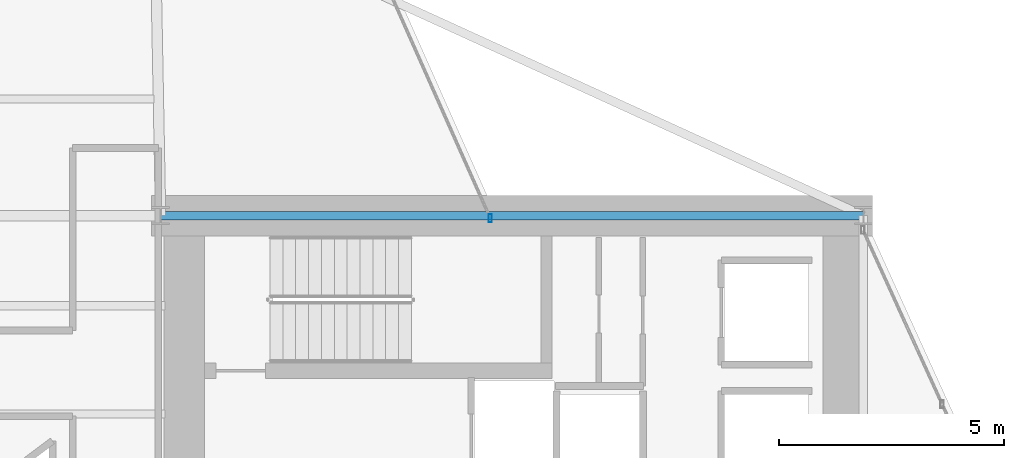
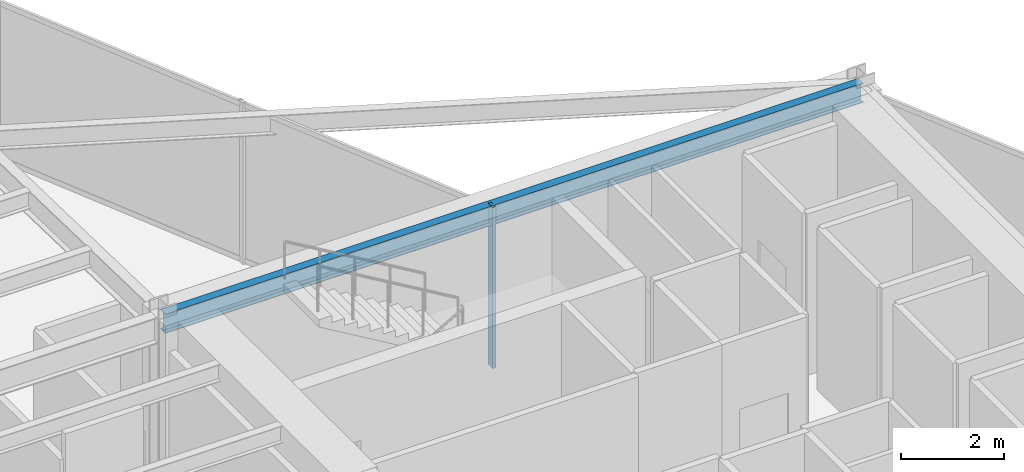
# One storey, part 13 of 23: 1 beam, 1 member, 1 element without a shape of its own.
"""IFC4 building model written with IfcOpenShell, lengths in metres."""

from ifc_helpers import new_model, si_unit, direction, frame, origin, origin_2d, place, context, subcontext, project, spatial, hollow_rectangle, i_section, extrude, material, layer, layer_set, material_profile, profile_set, type_object, element, aggregate, save


model = new_model("IFC4")

# Units and contexts
model_context = context("Model", 3, precision=1e-05, world=origin(), true_north=direction((0.0, 1.0)))
body_context = subcontext(model_context, "Body", "Model", "MODEL_VIEW")
ifc_project = project(units=[si_unit("LENGTHUNIT", "METRE"), si_unit("AREAUNIT", "SQUARE_METRE"), si_unit("VOLUMEUNIT", "CUBIC_METRE"), si_unit("PLANEANGLEUNIT", "RADIAN"), si_unit("MASSUNIT", "GRAM", prefix="KILO")], contexts=[model_context])

# Site, building, storey
site_placement = place(None, origin())
site = spatial("IfcSite", under=ifc_project, at=site_placement, CompositionType="ELEMENT")
building_placement = place(site_placement, origin())
building = spatial("IfcBuilding", under=site, at=building_placement, Name="Veymaron Broadcast Tower", CompositionType="ELEMENT")
storey_placement = place(building_placement, frame((0.0, 0.0, 94.5)))
storey = spatial("IfcBuildingStorey", under=building, at=storey_placement, Name="L21", CompositionType="ELEMENT", Elevation=94.5)

# Beam
ifc_material_1 = material(Name="Structural steel ASTM A992 Gr 50", Category="steel")
ifc_material_profile_1 = material_profile(ifc_material_1, i_section(OverallWidth=0.19091796875, OverallDepth=0.4599609375, WebThickness=0.010009765625, FlangeThickness=0.01611328125, at=origin_2d()), Name="W460X82")
ifc_profile_set_1 = profile_set([ifc_material_profile_1], Name="Structural steel ASTM A992 Gr 50")
beam_type = type_object("IfcBeamType", Name="BM-SP1", PredefinedType="SPANDREL", material=ifc_profile_set_1)
beam_placement = place(storey_placement, frame((39.0, 32.0, 3.580078125), z_axis=(1.0, 0.0, 0.0), x_axis=(0.0, 1.0, 0.0)))
element("IfcBeam", 1, at=beam_placement, inside=storey, type_object=beam_type, Name="L21 primary structural floor girder", PredefinedType="SPANDREL", context=body_context, shape_type="SweptSolid", body=[
    extrude(i_section(OverallWidth=0.19091796875, OverallDepth=0.4599609375, WebThickness=0.010009765625, FlangeThickness=0.01611328125, at=origin_2d()), origin(), (0.0, 0.0, 1.0), 15.60009765625),
])

# Curtain wall, member
ifc_material_2 = material(Name="Anodised aluminium AA 6063-T6 and laminated low-E dark glass", Category="aluminium")
ifc_layer = layer(ifc_material_2, 0.179931640625)
ifc_layer_set = layer_set([ifc_layer], Name="Anodised aluminium AA 6063-T6 and laminated low-E dark glass")
curtain_wall_type = type_object("IfcCurtainWallType", Name="CW-SYS-02", PredefinedType="NOTDEFINED", material=ifc_layer_set)
curtain_wall_placement = place(storey_placement, origin())
curtain_wall = element("IfcCurtainWall", 2, at=curtain_wall_placement, inside=storey, type_object=curtain_wall_type, Name="L21 dark-glass curtain wall CW-L21-E5-1", PredefinedType="NOTDEFINED")
ifc_material_3 = material(Name="Anodised aluminium AA 6063-T6", Category="aluminium")
ifc_material_profile_2 = material_profile(ifc_material_3, hollow_rectangle(XDim=0.074951171875, YDim=0.179931640625, WallThickness=0.0048828125, at=origin_2d()), Name="AL180X75X5")
ifc_profile_set_2 = profile_set([ifc_material_profile_2], Name="Anodised aluminium AA 6063-T6")
member_type = type_object("IfcMemberType", Name="CW-MUL-02", PredefinedType="MULLION", material=ifc_profile_set_2)
member_placement = place(storey_placement, frame((46.31689453125, 31.943115234375, 0.0), z_axis=(0.0, 0.0, 1.0), x_axis=(1.0, 0.0, 0.0)))
member = element("IfcMember", 3, at=member_placement, type_object=member_type, Name="CW-L21-E5-1 mullion 0", PredefinedType="MULLION", context=body_context, shape_type="SweptSolid", body=[
    extrude(hollow_rectangle(XDim=0.074951171875, YDim=0.179931640625, WallThickness=0.0048828125, at=origin_2d()), origin(), (0.0, 0.0, 1.0), 3.81005859375),
])
aggregate(curtain_wall, [member])

save(model, "model.ifc")
